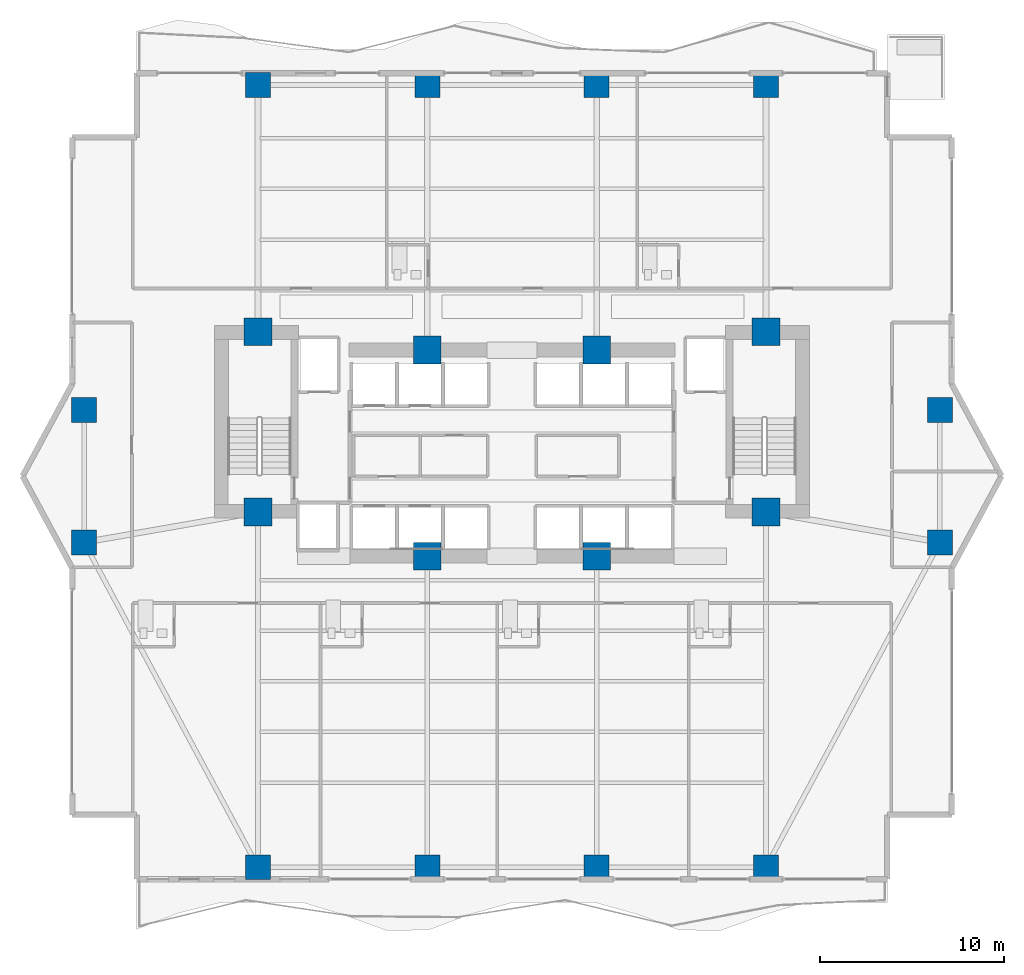
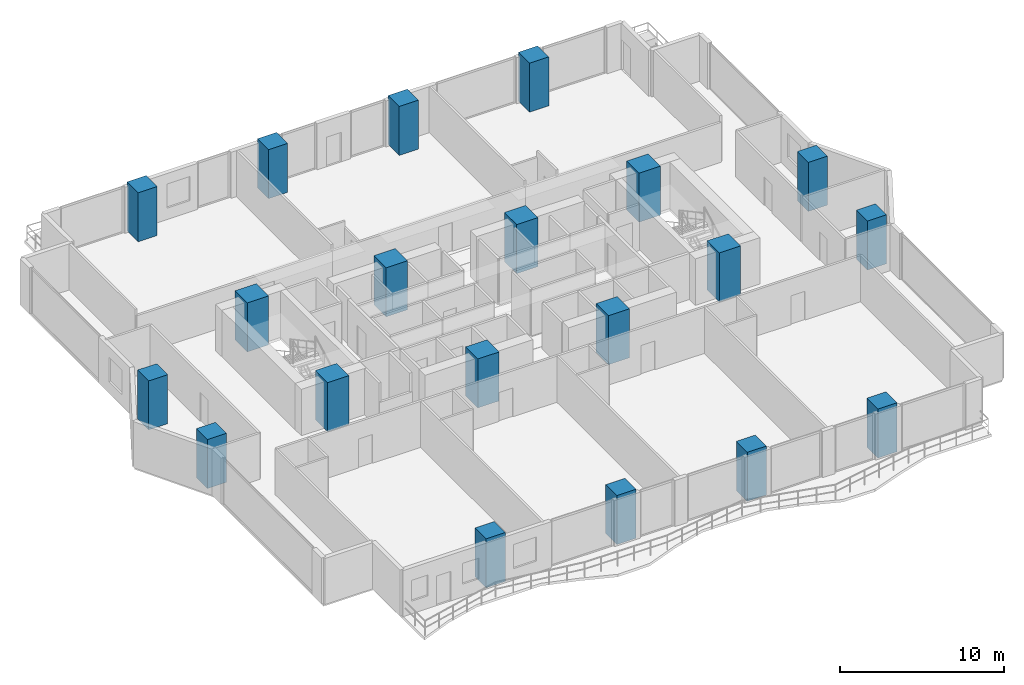
# One storey, part 1 of 28: 20 columns.
"""IFC4 building model written with IfcOpenShell, lengths in metres."""

from ifc_helpers import new_model, si_unit, direction, frame, origin, origin_2d, place, context, subcontext, project, spatial, rectangle, extrude, material, material_profile, profile_set, type_object, element, save


model = new_model("IFC4")

# Units and contexts
model_context = context("Model", 3, precision=1e-05, world=origin(), true_north=direction((0.0, 1.0)))
body_context = subcontext(model_context, "Body", "Model", "MODEL_VIEW")
ifc_project = project(units=[si_unit("LENGTHUNIT", "METRE"), si_unit("AREAUNIT", "SQUARE_METRE"), si_unit("VOLUMEUNIT", "CUBIC_METRE"), si_unit("PLANEANGLEUNIT", "RADIAN"), si_unit("MASSUNIT", "GRAM", prefix="KILO")], contexts=[model_context])

# Site, building, storey
site_placement = place(None, origin())
site = spatial("IfcSite", under=ifc_project, at=site_placement, CompositionType="ELEMENT")
building_placement = place(site_placement, origin())
building = spatial("IfcBuilding", under=site, at=building_placement, Name="Zuhayl Quay Hotel", CompositionType="ELEMENT")
storey_placement = place(building_placement, frame((0.0, 0.0, 139.449951171875)))
storey = spatial("IfcBuildingStorey", under=building, at=storey_placement, Name="L35", CompositionType="ELEMENT", Elevation=139.449951171875)

# Columns
ifc_material = material(Name="Concrete C70/85", Category="concrete")
ifc_material_profile_1 = material_profile(ifc_material, rectangle(XDim=1.5, YDim=1.5, at=origin_2d()), Name="RC1500X1500")
ifc_profile_set_1 = profile_set([ifc_material_profile_1], Name="Concrete C70/85")
column_type_1 = type_object("IfcColumnType", Name="CL_CC1_1500", PredefinedType="COLUMN", material=ifc_profile_set_1)
for number, where, z_axis, x_axis, name in (
    (1, (-13.800048828125, 14.35009765625, 0.0), (0.0, 0.0, 1.0), (1.0, 0.0, 0.0), "L35 Core Column CC_NW"),
    (2, (-4.60009765625, 13.35009765625, 0.0), (0.0, 0.0, 1.0), (1.0, 0.0, 0.0), "L35 Core Column CC_CNW"),
    (3, (4.60009765625, 13.35009765625, 0.0), (0.0, 0.0, 1.0), (1.0, 0.0, 0.0), "L35 Core Column CC_CNE"),
    (4, (13.800048828125, 14.35009765625, 0.0), (0.0, 0.0, 1.0), (1.0, 0.0, 0.0), "L35 Core Column CC_NE"),
    (5, (-13.800048828125, 4.550048828125, 0.0), (0.0, 0.0, 1.0), (1.0, 0.0, 0.0), "L35 Core Column CC_SW"),
    (6, (-4.60009765625, 2.14990234375, 0.0), (0.0, 0.0, 1.0), (1.0, 0.0, 0.0), "L35 Core Column CC_CSW"),
    (7, (4.60009765625, 2.14990234375, 0.0), (0.0, 0.0, 1.0), (1.0, 0.0, 0.0), "L35 Core Column CC_CSE"),
    (8, (13.800048828125, 4.550048828125, 0.0), (0.0, 0.0, 1.0), (1.0, 0.0, 0.0), "L35 Core Column CC_SE"),
):
    element("IfcColumn", number, at=place(storey_placement, frame(where, z_axis=z_axis, x_axis=x_axis)), inside=storey, type_object=column_type_1, Name=name, PredefinedType="COLUMN", context=body_context, shape_type="SweptSolid", body=[
        extrude(rectangle(XDim=1.5, YDim=1.5, at=origin_2d()), origin(), (0.0, 0.0, 1.0), 3.650146484375),
    ])
ifc_material_profile_2 = material_profile(ifc_material, rectangle(XDim=1.35009765625, YDim=1.35009765625, at=origin_2d()), Name="RC1350X1350")
ifc_profile_set_2 = profile_set([ifc_material_profile_2], Name="Concrete C70/85")
column_type_2 = type_object("IfcColumnType", Name="CL_MC2_1350", PredefinedType="COLUMN", material=ifc_profile_set_2)
for number, where, z_axis, x_axis, name in (
    (9, (-13.800048828125, -14.75, 0.0), (0.0, 0.0, 1.0), (1.0, 0.0, 0.0), "L35 Mega-Column MC_S1"),
    (10, (-4.60009765625, -14.75, 0.0), (0.0, 0.0, 1.0), (1.0, 0.0, 0.0), "L35 Mega-Column MC_S2"),
    (11, (4.60009765625, -14.75, 0.0), (0.0, 0.0, 1.0), (1.0, 0.0, 0.0), "L35 Mega-Column MC_S3"),
    (12, (13.800048828125, -14.75, 0.0), (0.0, 0.0, 1.0), (1.0, 0.0, 0.0), "L35 Mega-Column MC_S4"),
    (13, (-13.800048828125, 27.75, 0.0), (0.0, 0.0, 1.0), (1.0, 0.0, 0.0), "L35 Mega-Column MC_N1"),
    (14, (-4.60009765625, 27.75, 0.0), (0.0, 0.0, 1.0), (1.0, 0.0, 0.0), "L35 Mega-Column MC_N2"),
    (15, (4.60009765625, 27.75, 0.0), (0.0, 0.0, 1.0), (1.0, 0.0, 0.0), "L35 Mega-Column MC_N3"),
    (16, (13.800048828125, 27.75, 0.0), (0.0, 0.0, 1.0), (1.0, 0.0, 0.0), "L35 Mega-Column MC_N4"),
    (17, (-23.25, 2.89990234375, 0.0), (0.0, 0.0, 1.0), (1.0, 0.0, 0.0), "L35 Mega-Column MC_W1"),
    (18, (-23.25, 10.10009765625, 0.0), (0.0, 0.0, 1.0), (1.0, 0.0, 0.0), "L35 Mega-Column MC_W2"),
    (19, (23.25, 2.89990234375, 0.0), (0.0, 0.0, 1.0), (1.0, 0.0, 0.0), "L35 Mega-Column MC_E1"),
    (20, (23.25, 10.10009765625, 0.0), (0.0, 0.0, 1.0), (1.0, 0.0, 0.0), "L35 Mega-Column MC_E2"),
):
    element("IfcColumn", number, at=place(storey_placement, frame(where, z_axis=z_axis, x_axis=x_axis)), inside=storey, type_object=column_type_2, Name=name, PredefinedType="COLUMN", context=body_context, shape_type="SweptSolid", body=[
        extrude(rectangle(XDim=1.35009765625, YDim=1.35009765625, at=origin_2d()), origin(), (0.0, 0.0, 1.0), 3.650146484375),
    ])

save(model, "model.ifc")
